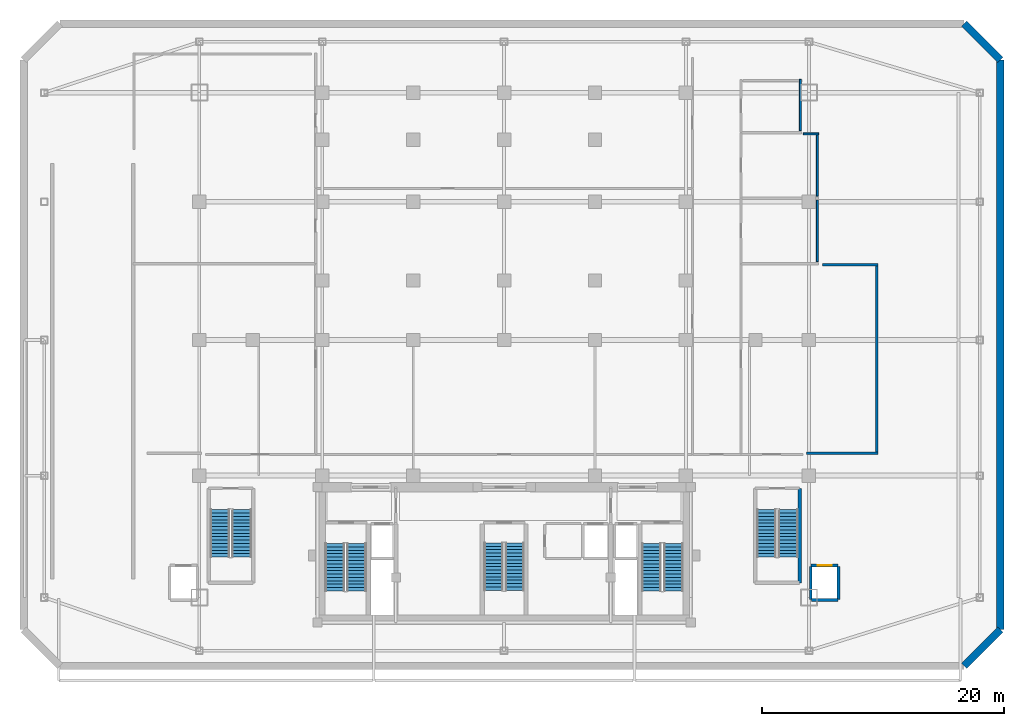
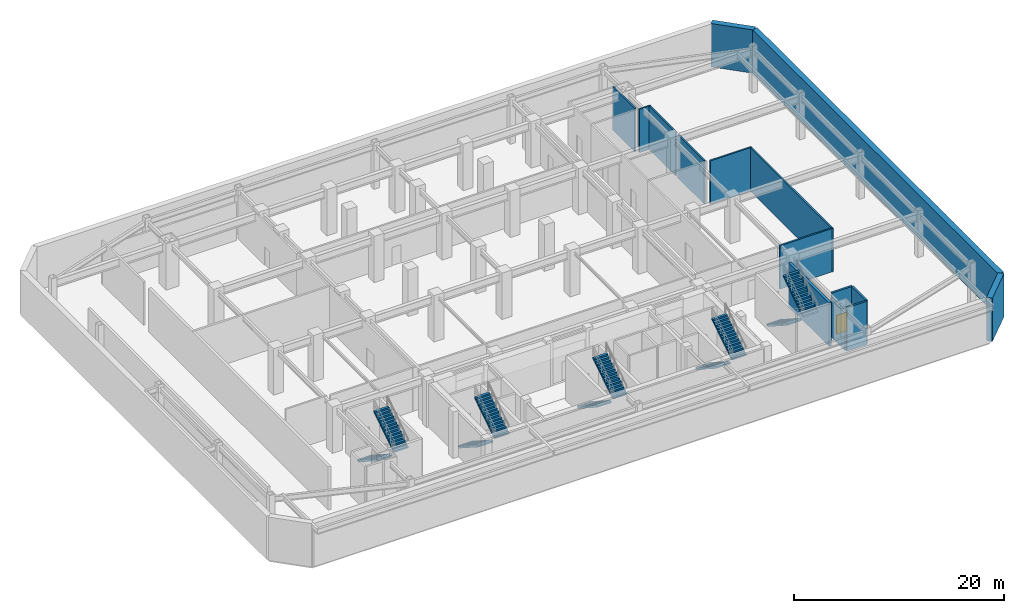
# One storey, part 7 of 9: 15 walls, 10 stair flights, 1 door, 1 opening, 5 elements without a shape of their own.
"""IFC4 building model written with IfcOpenShell, lengths in metres."""

from ifc_helpers import new_model, si_unit, direction, frame, frame_2d, origin, place, context, subcontext, project, spatial, polyline, rectangle, outline, extrude, material, layer, layer_set, type_object, element, fill, aggregate, save


model = new_model("IFC4")

# Units and contexts
model_context = context("Model", 3, precision=1e-05, world=origin(), true_north=direction((0.0, 1.0)))
body_context = subcontext(model_context, "Body", "Model", "MODEL_VIEW")
ifc_project = project(units=[si_unit("LENGTHUNIT", "METRE"), si_unit("AREAUNIT", "SQUARE_METRE"), si_unit("VOLUMEUNIT", "CUBIC_METRE"), si_unit("PLANEANGLEUNIT", "RADIAN"), si_unit("MASSUNIT", "GRAM", prefix="KILO")], contexts=[model_context])

# Site, building, storey
site_placement = place(None, origin())
site = spatial("IfcSite", under=ifc_project, at=site_placement, CompositionType="ELEMENT")
building_placement = place(site_placement, origin())
building = spatial("IfcBuilding", under=site, at=building_placement, Name="Ventersveld Concourse Tower", CompositionType="ELEMENT")
storey_placement = place(building_placement, frame((0.0, 0.0, -5.39990234375)))
storey = spatial("IfcBuildingStorey", under=building, at=storey_placement, Name="B01", CompositionType="ELEMENT", Elevation=-5.39990234375)

# Walls
ifc_material_1 = material(Name="Fire-rated autoclaved aerated masonry blockwork", Category="masonry")
ifc_layer_1 = layer(ifc_material_1, 0.179931640625)
ifc_layer_set_1 = layer_set([ifc_layer_1], Name="Fire-rated autoclaved aerated masonry blockwork")
wall_type_1 = type_object("IfcWallType", Name="WL-CORR-180", PredefinedType="PARTITIONING", material=ifc_layer_set_1)
wall_1_placement = place(storey_placement, frame((53.70751953125, 14.25, 0.0), z_axis=(0.0, 0.0, 1.0), x_axis=(1.0, 0.0, 0.0)))
element("IfcWall", 1, at=wall_1_placement, inside=storey, type_object=wall_type_1, Name="B01 Room Enclosure Wall SP-B01-GEN", PredefinedType="PARTITIONING", context=body_context, shape_type="SweptSolid", body=[
    extrude(rectangle(XDim=5.887451171875, YDim=0.179931640625, at=frame_2d((2.94384765625, 0.0))), origin(), (0.0, 0.0, 1.0), 5.0498046875),
])
wall_2_placement = place(storey_placement, frame((59.5, 14.155029296875, 0.0), z_axis=(0.0, 0.0, 1.0), x_axis=(0.0, 1.0, 0.0)))
element("IfcWall", 2, at=wall_2_placement, inside=storey, type_object=wall_type_1, Name="B01 Room Enclosure Wall SP-B01-GEN", PredefinedType="PARTITIONING", context=body_context, shape_type="SweptSolid", body=[
    extrude(rectangle(XDim=15.739990234375, YDim=0.179931640625, at=frame_2d((7.8701171875, 0.0))), origin(), (0.0, 0.0, 1.0), 5.0498046875),
])
wall_3_placement = place(storey_placement, frame((59.594970703125, 29.800048828125, 0.0), z_axis=(0.0, 0.0, 1.0), x_axis=(-1.0, 0.0, 0.0)))
element("IfcWall", 3, at=wall_3_placement, inside=storey, type_object=wall_type_1, Name="B01 Room Enclosure Wall SP-B01-GEN", PredefinedType="PARTITIONING", context=body_context, shape_type="SweptSolid", body=[
    extrude(rectangle(XDim=4.587646484375, YDim=0.179931640625, at=frame_2d((2.2939453125, 0.0))), origin(), (0.0, 0.0, 1.0), 5.0498046875),
])
ifc_layer_2 = layer(ifc_material_1, 0.219970703125)
ifc_layer_set_2 = layer_set([ifc_layer_2], Name="Fire-rated autoclaved aerated masonry blockwork")
wall_type_2 = type_object("IfcWallType", Name="WL-HOIST-220", PredefinedType="SOLIDWALL", material=ifc_layer_set_2)
wall_4_placement = place(storey_placement, frame((54.10009765625, 2.139892578125, 0.0), z_axis=(0.0, 0.0, 1.0), x_axis=(1.0, 0.0, 0.0)))
element("IfcWall", 4, at=wall_4_placement, inside=storey, type_object=wall_type_2, Name="B01 Lift Hoistway Back Wall SL-02", PredefinedType="SOLIDWALL", context=body_context, shape_type="SweptSolid", body=[
    extrude(rectangle(XDim=2.199951171875, YDim=0.219970703125, at=frame_2d((1.10009765625, 0.0))), origin(), (0.0, 0.0, 1.0), 5.0498046875),
])
wall_5_placement = place(storey_placement, frame((54.06005859375, 2.199951171875, 0.0), z_axis=(0.0, 0.0, 1.0), x_axis=(0.0, 1.0, 0.0)))
element("IfcWall", 5, at=wall_5_placement, inside=storey, type_object=wall_type_2, Name="B01 Lift Hoistway Side Wall SL-02W", PredefinedType="SOLIDWALL", context=body_context, shape_type="SweptSolid", body=[
    extrude(rectangle(XDim=2.699951171875, YDim=0.219970703125, at=frame_2d((1.35009765625, 0.0))), origin(), (0.0, 0.0, 1.0), 4.4326171875),
])
wall_6_placement = place(storey_placement, frame((56.340087890625, 2.199951171875, 0.0), z_axis=(0.0, 0.0, 1.0), x_axis=(0.0, 1.0, 0.0)))
element("IfcWall", 6, at=wall_6_placement, inside=storey, type_object=wall_type_2, Name="B01 Lift Hoistway Side Wall SL-02E", PredefinedType="SOLIDWALL", context=body_context, shape_type="SweptSolid", body=[
    extrude(rectangle(XDim=2.699951171875, YDim=0.219970703125, at=frame_2d((1.35009765625, 0.0))), origin(), (0.0, 0.0, 1.0), 5.0498046875),
])

# Wall, opening, door
wall_7_placement = place(storey_placement, frame((54.080078125, 4.97998046875, 0.0), z_axis=(0.0, 0.0, 1.0), x_axis=(1.0, 0.0, 0.0)))
wall_7 = element("IfcWall", 7, at=wall_7_placement, inside=storey, type_object=wall_type_2, Name="B01 Lift Hoistway Front Wall SL-02", PredefinedType="SOLIDWALL", context=body_context, shape_type="SweptSolid", body=[
    extrude(rectangle(XDim=2.239990234375, YDim=0.219970703125, at=frame_2d((1.1201171875, 0.0))), origin(), (0.0, 0.0, 1.0), 5.0498046875),
])
opening_placement = place(wall_7_placement, frame((0.530029296875, 0.0, 0.0)))
opening = element("IfcOpeningElement", 8, at=opening_placement, cuts=wall_7, Name="Opening LD2", PredefinedType="OPENING", context=body_context, shape_type="SweptSolid", body=[
    extrude(rectangle(XDim=1.179931640625, YDim=2.199951171875, at=frame_2d((0.58984375, 1.10009765625))), frame((0.0, 0.1201171875, 0.0), z_axis=(0.0, -1.0, 0.0), x_axis=(1.0, 0.0, 0.0)), (0.0, 0.0, 1.0), 0.239990234375),
])
ifc_material_2 = material(Name="Brushed stainless steel 316", Category="steel")
door_type = type_object("IfcDoorType", Name="LD-PAX-118", OperationType="SLIDING_TO_LEFT", PredefinedType="DOOR", material=ifc_material_2)
door_placement = place(opening_placement, origin())
door = element("IfcDoor", 9, at=door_placement, inside=storey, type_object=door_type, Name="B01 Lift landing door SL-02 (LD-B01-SL-02)", OperationType="SLIDING_TO_RIGHT", OverallHeight=2.199951171875, OverallWidth=1.179931640625, PredefinedType="DOOR", context=body_context, shape_type="SweptSolid", body=[
    extrude(rectangle(XDim=1.179931640625, YDim=2.199951171875, at=frame_2d((0.58984375, 1.10009765625))), frame((0.0, 0.02490234375, 0.0), z_axis=(0.0, -1.0, 0.0), x_axis=(1.0, 0.0, 0.0)), (0.0, 0.0, 1.0), 0.050048828125),
])
fill(opening, door)

# Walls
ifc_material_3 = material(Name="Concrete C50/60", Category="concrete")
ifc_layer_3 = layer(ifc_material_3, 0.60009765625)
ifc_layer_set_3 = layer_set([ifc_layer_3], Name="Concrete C50/60")
wall_type_3 = type_object("IfcWallType", Name="WL-RET-600", PredefinedType="SOLIDWALL", material=ifc_layer_set_3)
wall_8_placement = place(storey_placement, frame((66.699951171875, -3.300048828125, 0.0), z_axis=(0.0, 0.0, 1.0), x_axis=(0.707106781187, 0.707106781187, 0.0)))
element("IfcWall", 10, at=wall_8_placement, inside=storey, type_object=wall_type_3, Name="B01 Basement Retaining Wall 02", PredefinedType="SOLIDWALL", context=body_context, shape_type="SweptSolid", body=[
    extrude(rectangle(XDim=4.24267578125, YDim=0.60009765625, at=frame_2d((2.121337890625, 0.0))), origin(), (0.0, 0.0, 1.0), 5.0498046875),
])
wall_9_placement = place(storey_placement, frame((69.699951171875, -0.300048828125, 0.0), z_axis=(0.0, 0.0, 1.0), x_axis=(0.0, 1.0, 0.0)))
element("IfcWall", 11, at=wall_9_placement, inside=storey, type_object=wall_type_3, Name="B01 Basement Retaining Wall 03", PredefinedType="SOLIDWALL", context=body_context, shape_type="SweptSolid", body=[
    extrude(rectangle(XDim=47.0, YDim=0.60009765625, at=frame_2d((23.5, 0.0))), origin(), (0.0, 0.0, 1.0), 5.0498046875),
])
wall_10_placement = place(storey_placement, frame((69.699951171875, 46.699951171875, 0.0), z_axis=(0.0, 0.0, 1.0), x_axis=(-0.707106781187, 0.707106781187, 0.0)))
element("IfcWall", 12, at=wall_10_placement, inside=storey, type_object=wall_type_3, Name="B01 Basement Retaining Wall 04", PredefinedType="SOLIDWALL", context=body_context, shape_type="SweptSolid", body=[
    extrude(rectangle(XDim=4.24267578125, YDim=0.60009765625, at=frame_2d((2.121337890625, 0.0))), origin(), (0.0, 0.0, 1.0), 5.0498046875),
])
ifc_layer_4 = layer(ifc_material_3, 0.280029296875)
ifc_layer_set_4 = layer_set([ifc_layer_4], Name="Concrete C50/60")
wall_type_4 = type_object("IfcWallType", Name="WL-SHAFT-280", PredefinedType="SHEAR", material=ifc_layer_set_4)
wall_11_placement = place(storey_placement, frame((53.139892578125, 3.56005859375, 0.0), z_axis=(0.0, 0.0, 1.0), x_axis=(0.0, 1.0, 0.0)))
element("IfcWall", 13, at=wall_11_placement, inside=storey, type_object=wall_type_4, Name="B01 ST05 Structural Shaft Wall E", PredefinedType="SHEAR", context=body_context, shape_type="SweptSolid", body=[
    extrude(rectangle(XDim=7.7900390625, YDim=0.280029296875, at=frame_2d((3.89501953125, 0.0))), origin(), (0.0, 0.0, 1.0), 5.0498046875),
])
ifc_material_4 = material(Name="Autoclaved aerated masonry blockwork", Category="masonry")
ifc_layer_5 = layer(ifc_material_4, 0.1650390625)
ifc_layer_set_5 = layer_set([ifc_layer_5], Name="Autoclaved aerated masonry blockwork")
wall_type_5 = type_object("IfcWallType", Name="WL-WET-165", PredefinedType="PLUMBINGWALL", material=ifc_layer_set_5)
wall_12_placement = place(storey_placement, frame((54.60009765625, 30.06494140625, 0.0), z_axis=(0.0, 0.0, 1.0), x_axis=(0.0, 1.0, 0.0)))
element("IfcWall", 14, at=wall_12_placement, inside=storey, type_object=wall_type_5, Name="B01 Room Enclosure Wall SP-B01-MWC", PredefinedType="PLUMBINGWALL", context=body_context, shape_type="SweptSolid", body=[
    extrude(rectangle(XDim=5.070068359375, YDim=0.1650390625, at=frame_2d((2.53515625, 0.0))), origin(), (0.0, 0.0, 1.0), 5.0498046875),
])
wall_13_placement = place(storey_placement, frame((54.60009765625, 35.465087890625, 0.0), z_axis=(0.0, 0.0, 1.0), x_axis=(0.0, 1.0, 0.0)))
element("IfcWall", 15, at=wall_13_placement, inside=storey, type_object=wall_type_5, Name="B01 Room Enclosure Wall SP-B01-FWC", PredefinedType="PLUMBINGWALL", context=body_context, shape_type="SweptSolid", body=[
    extrude(rectangle(XDim=5.22998046875, YDim=0.1650390625, at=frame_2d((2.614990234375, 0.0))), origin(), (0.0, 0.0, 1.0), 5.0498046875),
])
wall_14_placement = place(storey_placement, frame((54.695068359375, 40.60009765625, 0.0), z_axis=(0.0, 0.0, 1.0), x_axis=(-1.0, 0.0, 0.0)))
element("IfcWall", 16, at=wall_14_placement, inside=storey, type_object=wall_type_5, Name="B01 Room Enclosure Wall SP-B01-FWC", PredefinedType="PLUMBINGWALL", context=body_context, shape_type="SweptSolid", body=[
    extrude(rectangle(XDim=1.255126953125, YDim=0.1650390625, at=frame_2d((0.62744140625, 0.0))), origin(), (0.0, 0.0, 1.0), 5.0498046875),
])
wall_15_placement = place(storey_placement, frame((53.199951171875, 40.864990234375, 0.0), z_axis=(0.0, 0.0, 1.0), x_axis=(0.0, 1.0, 0.0)))
element("IfcWall", 17, at=wall_15_placement, inside=storey, type_object=wall_type_5, Name="B01 Room Enclosure Wall SP-B01-AWC", PredefinedType="PLUMBINGWALL", context=body_context, shape_type="SweptSolid", body=[
    extrude(rectangle(XDim=4.22998046875, YDim=0.1650390625, at=frame_2d((2.114990234375, 0.0))), origin(), (0.0, 0.0, 1.0), 5.0498046875),
])

# Stair, stair flights
stair_type_1 = type_object("IfcStairType", Name="ST-DOG-155", PredefinedType="HALF_TURN_STAIR", material=ifc_material_3)
stair_1_placement = place(storey_placement, origin())
stair_1 = element("IfcStair", 18, at=stair_1_placement, inside=storey, type_object=stair_type_1, Name="B01 Protected Central Core Escape Stair ST-03", PredefinedType="HALF_TURN_STAIR")
stair_flight_type_1 = type_object("IfcStairFlightType", Name="STF-RC-155", PredefinedType="STRAIGHT", material=ifc_material_3)
stair_flight_1_placement = place(storey_placement, frame((27.875, 6.85009765625, 0.0), z_axis=(0.0, 0.0, 1.0), x_axis=(0.0, -1.0, 0.0)))
stair_flight_1 = element("IfcStairFlight", 19, at=stair_flight_1_placement, type_object=stair_flight_type_1, Name="ST-03 flight 1", NumberOfRisers=15, NumberOfTreads=14, PredefinedType="STRAIGHT", RiserHeight=0.18, TreadLength=0.28, context=body_context, shape_type="SweptSolid", body=[
    extrude(outline(polyline([(0.0, 0.0), (0.0, 0.179931640625), (0.280029296875, 0.179931640625), (0.280029296875, 0.360107421875), (0.56005859375, 0.360107421875), (0.56005859375, 0.5400390625), (0.840087890625, 0.5400390625), (0.840087890625, 0.719970703125), (1.1201171875, 0.719970703125), (1.1201171875, 0.89990234375), (1.39990234375, 0.89990234375), (1.39990234375, 1.080078125), (1.679931640625, 1.080078125), (1.679931640625, 1.260009765625), (1.9599609375, 1.260009765625), (1.9599609375, 1.43994140625), (2.239990234375, 1.43994140625), (2.239990234375, 1.6201171875), (2.52001953125, 1.6201171875), (2.52001953125, 1.800048828125), (2.800048828125, 1.800048828125), (2.800048828125, 1.97998046875), (3.080078125, 1.97998046875), (3.080078125, 2.159912109375), (3.360107421875, 2.159912109375), (3.360107421875, 2.340087890625), (3.639892578125, 2.340087890625), (3.639892578125, 2.52001953125), (3.919921875, 2.52001953125), (3.919921875, 2.699951171875), (3.919921875, 2.341796875), (0.277099609375, 0.0), (0.0, 0.0)])), frame((0.0, 0.77490234375, 0.0), z_axis=(0.0, -1.0, 0.0), x_axis=(1.0, 0.0, 0.0)), (0.0, 0.0, 1.0), 1.550048828125),
])
stair_flight_2_placement = place(storey_placement, frame((29.625, 2.929931640625, 2.699951171875), z_axis=(0.0, 0.0, 1.0), x_axis=(0.0, 1.0, 0.0)))
stair_flight_2 = element("IfcStairFlight", 20, at=stair_flight_2_placement, type_object=stair_flight_type_1, Name="ST-03 flight 2", NumberOfRisers=15, NumberOfTreads=14, PredefinedType="STRAIGHT", RiserHeight=0.18, TreadLength=0.28, context=body_context, shape_type="SweptSolid", body=[
    extrude(outline(polyline([(0.0, 0.0), (0.0, 0.179931640625), (0.280029296875, 0.179931640625), (0.280029296875, 0.360107421875), (0.56005859375, 0.360107421875), (0.56005859375, 0.5400390625), (0.840087890625, 0.5400390625), (0.840087890625, 0.719970703125), (1.1201171875, 0.719970703125), (1.1201171875, 0.89990234375), (1.39990234375, 0.89990234375), (1.39990234375, 1.080078125), (1.679931640625, 1.080078125), (1.679931640625, 1.260009765625), (1.9599609375, 1.260009765625), (1.9599609375, 1.43994140625), (2.239990234375, 1.43994140625), (2.239990234375, 1.6201171875), (2.52001953125, 1.6201171875), (2.52001953125, 1.800048828125), (2.800048828125, 1.800048828125), (2.800048828125, 1.97998046875), (3.080078125, 1.97998046875), (3.080078125, 2.159912109375), (3.360107421875, 2.159912109375), (3.360107421875, 2.340087890625), (3.639892578125, 2.340087890625), (3.639892578125, 2.52001953125), (3.919921875, 2.52001953125), (3.919921875, 2.699951171875), (3.919921875, 2.341796875), (0.277099609375, 0.0), (0.0, 0.0)])), frame((0.0, 0.77490234375, 0.0), z_axis=(0.0, -1.0, 0.0), x_axis=(1.0, 0.0, 0.0)), (0.0, 0.0, 1.0), 1.550048828125),
])
aggregate(stair_1, [stair_flight_1, stair_flight_2])

stair_type_2 = type_object("IfcStairType", Name="ST-DOG-160", PredefinedType="HALF_TURN_STAIR", material=ifc_material_3)
stair_2_placement = place(storey_placement, origin())
stair_2 = element("IfcStair", 21, at=stair_2_placement, inside=storey, type_object=stair_type_2, Name="B01 Protected Tower Escape Stair ST-01", PredefinedType="HALF_TURN_STAIR")
stair_flight_type_2 = type_object("IfcStairFlightType", Name="STF-RC-160", PredefinedType="STRAIGHT", material=ifc_material_3)
stair_flight_3_placement = place(storey_placement, frame((14.780029296875, 6.800048828125, 0.0), z_axis=(0.0, 0.0, 1.0), x_axis=(0.0, -1.0, 0.0)))
stair_flight_3 = element("IfcStairFlight", 22, at=stair_flight_3_placement, type_object=stair_flight_type_2, Name="ST-01 flight 1", NumberOfRisers=15, NumberOfTreads=14, PredefinedType="STRAIGHT", RiserHeight=0.18, TreadLength=0.28, context=body_context, shape_type="SweptSolid", body=[
    extrude(outline(polyline([(0.0, 0.0), (0.0, 0.179931640625), (0.280029296875, 0.179931640625), (0.280029296875, 0.360107421875), (0.56005859375, 0.360107421875), (0.56005859375, 0.5400390625), (0.840087890625, 0.5400390625), (0.840087890625, 0.719970703125), (1.1201171875, 0.719970703125), (1.1201171875, 0.89990234375), (1.39990234375, 0.89990234375), (1.39990234375, 1.080078125), (1.679931640625, 1.080078125), (1.679931640625, 1.260009765625), (1.9599609375, 1.260009765625), (1.9599609375, 1.43994140625), (2.239990234375, 1.43994140625), (2.239990234375, 1.6201171875), (2.52001953125, 1.6201171875), (2.52001953125, 1.800048828125), (2.800048828125, 1.800048828125), (2.800048828125, 1.97998046875), (3.080078125, 1.97998046875), (3.080078125, 2.159912109375), (3.360107421875, 2.159912109375), (3.360107421875, 2.340087890625), (3.639892578125, 2.340087890625), (3.639892578125, 2.52001953125), (3.919921875, 2.52001953125), (3.919921875, 2.699951171875), (3.919921875, 2.341796875), (0.277099609375, 0.0), (0.0, 0.0)])), frame((0.0, 0.800048828125, 0.0), z_axis=(0.0, -1.0, 0.0), x_axis=(1.0, 0.0, 0.0)), (0.0, 0.0, 1.0), 1.60009765625),
])
stair_flight_4_placement = place(storey_placement, frame((16.580078125, 2.8798828125, 2.699951171875), z_axis=(0.0, 0.0, 1.0), x_axis=(0.0, 1.0, 0.0)))
stair_flight_4 = element("IfcStairFlight", 23, at=stair_flight_4_placement, type_object=stair_flight_type_2, Name="ST-01 flight 2", NumberOfRisers=15, NumberOfTreads=14, PredefinedType="STRAIGHT", RiserHeight=0.18, TreadLength=0.28, context=body_context, shape_type="SweptSolid", body=[
    extrude(outline(polyline([(0.0, 0.0), (0.0, 0.179931640625), (0.280029296875, 0.179931640625), (0.280029296875, 0.360107421875), (0.56005859375, 0.360107421875), (0.56005859375, 0.5400390625), (0.840087890625, 0.5400390625), (0.840087890625, 0.719970703125), (1.1201171875, 0.719970703125), (1.1201171875, 0.89990234375), (1.39990234375, 0.89990234375), (1.39990234375, 1.080078125), (1.679931640625, 1.080078125), (1.679931640625, 1.260009765625), (1.9599609375, 1.260009765625), (1.9599609375, 1.43994140625), (2.239990234375, 1.43994140625), (2.239990234375, 1.6201171875), (2.52001953125, 1.6201171875), (2.52001953125, 1.800048828125), (2.800048828125, 1.800048828125), (2.800048828125, 1.97998046875), (3.080078125, 1.97998046875), (3.080078125, 2.159912109375), (3.360107421875, 2.159912109375), (3.360107421875, 2.340087890625), (3.639892578125, 2.340087890625), (3.639892578125, 2.52001953125), (3.919921875, 2.52001953125), (3.919921875, 2.699951171875), (3.919921875, 2.341796875), (0.277099609375, 0.0), (0.0, 0.0)])), frame((0.0, 0.800048828125, 0.0), z_axis=(0.0, -1.0, 0.0), x_axis=(1.0, 0.0, 0.0)), (0.0, 0.0, 1.0), 1.60009765625),
])
aggregate(stair_2, [stair_flight_3, stair_flight_4])

stair_3_placement = place(storey_placement, origin())
stair_3 = element("IfcStair", 24, at=stair_3_placement, inside=storey, type_object=stair_type_2, Name="B01 Protected Tower Escape Stair ST-02", PredefinedType="HALF_TURN_STAIR")
stair_flight_5_placement = place(storey_placement, frame((40.919921875, 6.800048828125, 0.0), z_axis=(0.0, 0.0, 1.0), x_axis=(0.0, -1.0, 0.0)))
stair_flight_5 = element("IfcStairFlight", 25, at=stair_flight_5_placement, type_object=stair_flight_type_2, Name="ST-02 flight 1", NumberOfRisers=15, NumberOfTreads=14, PredefinedType="STRAIGHT", RiserHeight=0.18, TreadLength=0.28, context=body_context, shape_type="SweptSolid", body=[
    extrude(outline(polyline([(0.0, 0.0), (0.0, 0.179931640625), (0.280029296875, 0.179931640625), (0.280029296875, 0.360107421875), (0.56005859375, 0.360107421875), (0.56005859375, 0.5400390625), (0.840087890625, 0.5400390625), (0.840087890625, 0.719970703125), (1.1201171875, 0.719970703125), (1.1201171875, 0.89990234375), (1.39990234375, 0.89990234375), (1.39990234375, 1.080078125), (1.679931640625, 1.080078125), (1.679931640625, 1.260009765625), (1.9599609375, 1.260009765625), (1.9599609375, 1.43994140625), (2.239990234375, 1.43994140625), (2.239990234375, 1.6201171875), (2.52001953125, 1.6201171875), (2.52001953125, 1.800048828125), (2.800048828125, 1.800048828125), (2.800048828125, 1.97998046875), (3.080078125, 1.97998046875), (3.080078125, 2.159912109375), (3.360107421875, 2.159912109375), (3.360107421875, 2.340087890625), (3.639892578125, 2.340087890625), (3.639892578125, 2.52001953125), (3.919921875, 2.52001953125), (3.919921875, 2.699951171875), (3.919921875, 2.341796875), (0.277099609375, 0.0), (0.0, 0.0)])), frame((0.0, 0.800048828125, 0.0), z_axis=(0.0, -1.0, 0.0), x_axis=(1.0, 0.0, 0.0)), (0.0, 0.0, 1.0), 1.60009765625),
])
stair_flight_6_placement = place(storey_placement, frame((42.719970703125, 2.8798828125, 2.699951171875), z_axis=(0.0, 0.0, 1.0), x_axis=(0.0, 1.0, 0.0)))
stair_flight_6 = element("IfcStairFlight", 26, at=stair_flight_6_placement, type_object=stair_flight_type_2, Name="ST-02 flight 2", NumberOfRisers=15, NumberOfTreads=14, PredefinedType="STRAIGHT", RiserHeight=0.18, TreadLength=0.28, context=body_context, shape_type="SweptSolid", body=[
    extrude(outline(polyline([(0.0, 0.0), (0.0, 0.179931640625), (0.280029296875, 0.179931640625), (0.280029296875, 0.360107421875), (0.56005859375, 0.360107421875), (0.56005859375, 0.5400390625), (0.840087890625, 0.5400390625), (0.840087890625, 0.719970703125), (1.1201171875, 0.719970703125), (1.1201171875, 0.89990234375), (1.39990234375, 0.89990234375), (1.39990234375, 1.080078125), (1.679931640625, 1.080078125), (1.679931640625, 1.260009765625), (1.9599609375, 1.260009765625), (1.9599609375, 1.43994140625), (2.239990234375, 1.43994140625), (2.239990234375, 1.6201171875), (2.52001953125, 1.6201171875), (2.52001953125, 1.800048828125), (2.800048828125, 1.800048828125), (2.800048828125, 1.97998046875), (3.080078125, 1.97998046875), (3.080078125, 2.159912109375), (3.360107421875, 2.159912109375), (3.360107421875, 2.340087890625), (3.639892578125, 2.340087890625), (3.639892578125, 2.52001953125), (3.919921875, 2.52001953125), (3.919921875, 2.699951171875), (3.919921875, 2.341796875), (0.277099609375, 0.0), (0.0, 0.0)])), frame((0.0, 0.800048828125, 0.0), z_axis=(0.0, -1.0, 0.0), x_axis=(1.0, 0.0, 0.0)), (0.0, 0.0, 1.0), 1.60009765625),
])
aggregate(stair_3, [stair_flight_5, stair_flight_6])

stair_4_placement = place(storey_placement, origin())
stair_4 = element("IfcStair", 27, at=stair_4_placement, inside=storey, type_object=stair_type_2, Name="B01 Station Concourse West Escape Stair ST-04", PredefinedType="HALF_TURN_STAIR")
stair_flight_7_placement = place(storey_placement, frame((5.300048828125, 9.60009765625, 0.0), z_axis=(0.0, 0.0, 1.0), x_axis=(0.0, -1.0, 0.0)))
stair_flight_7 = element("IfcStairFlight", 28, at=stair_flight_7_placement, type_object=stair_flight_type_2, Name="ST-04 flight 1", NumberOfRisers=15, NumberOfTreads=14, PredefinedType="STRAIGHT", RiserHeight=0.18, TreadLength=0.28, context=body_context, shape_type="SweptSolid", body=[
    extrude(outline(polyline([(0.0, 0.0), (0.0, 0.179931640625), (0.280029296875, 0.179931640625), (0.280029296875, 0.360107421875), (0.56005859375, 0.360107421875), (0.56005859375, 0.5400390625), (0.840087890625, 0.5400390625), (0.840087890625, 0.719970703125), (1.1201171875, 0.719970703125), (1.1201171875, 0.89990234375), (1.39990234375, 0.89990234375), (1.39990234375, 1.080078125), (1.679931640625, 1.080078125), (1.679931640625, 1.260009765625), (1.9599609375, 1.260009765625), (1.9599609375, 1.43994140625), (2.239990234375, 1.43994140625), (2.239990234375, 1.6201171875), (2.52001953125, 1.6201171875), (2.52001953125, 1.800048828125), (2.800048828125, 1.800048828125), (2.800048828125, 1.97998046875), (3.080078125, 1.97998046875), (3.080078125, 2.159912109375), (3.360107421875, 2.159912109375), (3.360107421875, 2.340087890625), (3.639892578125, 2.340087890625), (3.639892578125, 2.52001953125), (3.919921875, 2.52001953125), (3.919921875, 2.699951171875), (3.919921875, 2.341796875), (0.277099609375, 0.0), (0.0, 0.0)])), frame((0.0, 0.800048828125, 0.0), z_axis=(0.0, -1.0, 0.0), x_axis=(1.0, 0.0, 0.0)), (0.0, 0.0, 1.0), 1.60009765625),
])
stair_flight_8_placement = place(storey_placement, frame((7.10009765625, 5.679931640625, 2.699951171875), z_axis=(0.0, 0.0, 1.0), x_axis=(0.0, 1.0, 0.0)))
stair_flight_8 = element("IfcStairFlight", 29, at=stair_flight_8_placement, type_object=stair_flight_type_2, Name="ST-04 flight 2", NumberOfRisers=15, NumberOfTreads=14, PredefinedType="STRAIGHT", RiserHeight=0.18, TreadLength=0.28, context=body_context, shape_type="SweptSolid", body=[
    extrude(outline(polyline([(0.0, 0.0), (0.0, 0.179931640625), (0.280029296875, 0.179931640625), (0.280029296875, 0.360107421875), (0.56005859375, 0.360107421875), (0.56005859375, 0.5400390625), (0.840087890625, 0.5400390625), (0.840087890625, 0.719970703125), (1.1201171875, 0.719970703125), (1.1201171875, 0.89990234375), (1.39990234375, 0.89990234375), (1.39990234375, 1.080078125), (1.679931640625, 1.080078125), (1.679931640625, 1.260009765625), (1.9599609375, 1.260009765625), (1.9599609375, 1.43994140625), (2.239990234375, 1.43994140625), (2.239990234375, 1.6201171875), (2.52001953125, 1.6201171875), (2.52001953125, 1.800048828125), (2.800048828125, 1.800048828125), (2.800048828125, 1.97998046875), (3.080078125, 1.97998046875), (3.080078125, 2.159912109375), (3.360107421875, 2.159912109375), (3.360107421875, 2.340087890625), (3.639892578125, 2.340087890625), (3.639892578125, 2.52001953125), (3.919921875, 2.52001953125), (3.919921875, 2.699951171875), (3.919921875, 2.341796875), (0.277099609375, 0.0), (0.0, 0.0)])), frame((0.0, 0.800048828125, 0.0), z_axis=(0.0, -1.0, 0.0), x_axis=(1.0, 0.0, 0.0)), (0.0, 0.0, 1.0), 1.60009765625),
])
aggregate(stair_4, [stair_flight_7, stair_flight_8])

stair_5_placement = place(storey_placement, origin())
stair_5 = element("IfcStair", 30, at=stair_5_placement, inside=storey, type_object=stair_type_2, Name="B01 Station Concourse East Escape Stair ST-05", PredefinedType="HALF_TURN_STAIR")
stair_flight_9_placement = place(storey_placement, frame((50.39990234375, 9.60009765625, 0.0), z_axis=(0.0, 0.0, 1.0), x_axis=(0.0, -1.0, 0.0)))
stair_flight_9 = element("IfcStairFlight", 31, at=stair_flight_9_placement, type_object=stair_flight_type_2, Name="ST-05 flight 1", NumberOfRisers=15, NumberOfTreads=14, PredefinedType="STRAIGHT", RiserHeight=0.18, TreadLength=0.28, context=body_context, shape_type="SweptSolid", body=[
    extrude(outline(polyline([(0.0, 0.0), (0.0, 0.179931640625), (0.280029296875, 0.179931640625), (0.280029296875, 0.360107421875), (0.56005859375, 0.360107421875), (0.56005859375, 0.5400390625), (0.840087890625, 0.5400390625), (0.840087890625, 0.719970703125), (1.1201171875, 0.719970703125), (1.1201171875, 0.89990234375), (1.39990234375, 0.89990234375), (1.39990234375, 1.080078125), (1.679931640625, 1.080078125), (1.679931640625, 1.260009765625), (1.9599609375, 1.260009765625), (1.9599609375, 1.43994140625), (2.239990234375, 1.43994140625), (2.239990234375, 1.6201171875), (2.52001953125, 1.6201171875), (2.52001953125, 1.800048828125), (2.800048828125, 1.800048828125), (2.800048828125, 1.97998046875), (3.080078125, 1.97998046875), (3.080078125, 2.159912109375), (3.360107421875, 2.159912109375), (3.360107421875, 2.340087890625), (3.639892578125, 2.340087890625), (3.639892578125, 2.52001953125), (3.919921875, 2.52001953125), (3.919921875, 2.699951171875), (3.919921875, 2.341796875), (0.277099609375, 0.0), (0.0, 0.0)])), frame((0.0, 0.800048828125, 0.0), z_axis=(0.0, -1.0, 0.0), x_axis=(1.0, 0.0, 0.0)), (0.0, 0.0, 1.0), 1.60009765625),
])
stair_flight_10_placement = place(storey_placement, frame((52.199951171875, 5.679931640625, 2.699951171875), z_axis=(0.0, 0.0, 1.0), x_axis=(0.0, 1.0, 0.0)))
stair_flight_10 = element("IfcStairFlight", 32, at=stair_flight_10_placement, type_object=stair_flight_type_2, Name="ST-05 flight 2", NumberOfRisers=15, NumberOfTreads=14, PredefinedType="STRAIGHT", RiserHeight=0.18, TreadLength=0.28, context=body_context, shape_type="SweptSolid", body=[
    extrude(outline(polyline([(0.0, 0.0), (0.0, 0.179931640625), (0.280029296875, 0.179931640625), (0.280029296875, 0.360107421875), (0.56005859375, 0.360107421875), (0.56005859375, 0.5400390625), (0.840087890625, 0.5400390625), (0.840087890625, 0.719970703125), (1.1201171875, 0.719970703125), (1.1201171875, 0.89990234375), (1.39990234375, 0.89990234375), (1.39990234375, 1.080078125), (1.679931640625, 1.080078125), (1.679931640625, 1.260009765625), (1.9599609375, 1.260009765625), (1.9599609375, 1.43994140625), (2.239990234375, 1.43994140625), (2.239990234375, 1.6201171875), (2.52001953125, 1.6201171875), (2.52001953125, 1.800048828125), (2.800048828125, 1.800048828125), (2.800048828125, 1.97998046875), (3.080078125, 1.97998046875), (3.080078125, 2.159912109375), (3.360107421875, 2.159912109375), (3.360107421875, 2.340087890625), (3.639892578125, 2.340087890625), (3.639892578125, 2.52001953125), (3.919921875, 2.52001953125), (3.919921875, 2.699951171875), (3.919921875, 2.341796875), (0.277099609375, 0.0), (0.0, 0.0)])), frame((0.0, 0.800048828125, 0.0), z_axis=(0.0, -1.0, 0.0), x_axis=(1.0, 0.0, 0.0)), (0.0, 0.0, 1.0), 1.60009765625),
])
aggregate(stair_5, [stair_flight_9, stair_flight_10])

save(model, "model.ifc")
